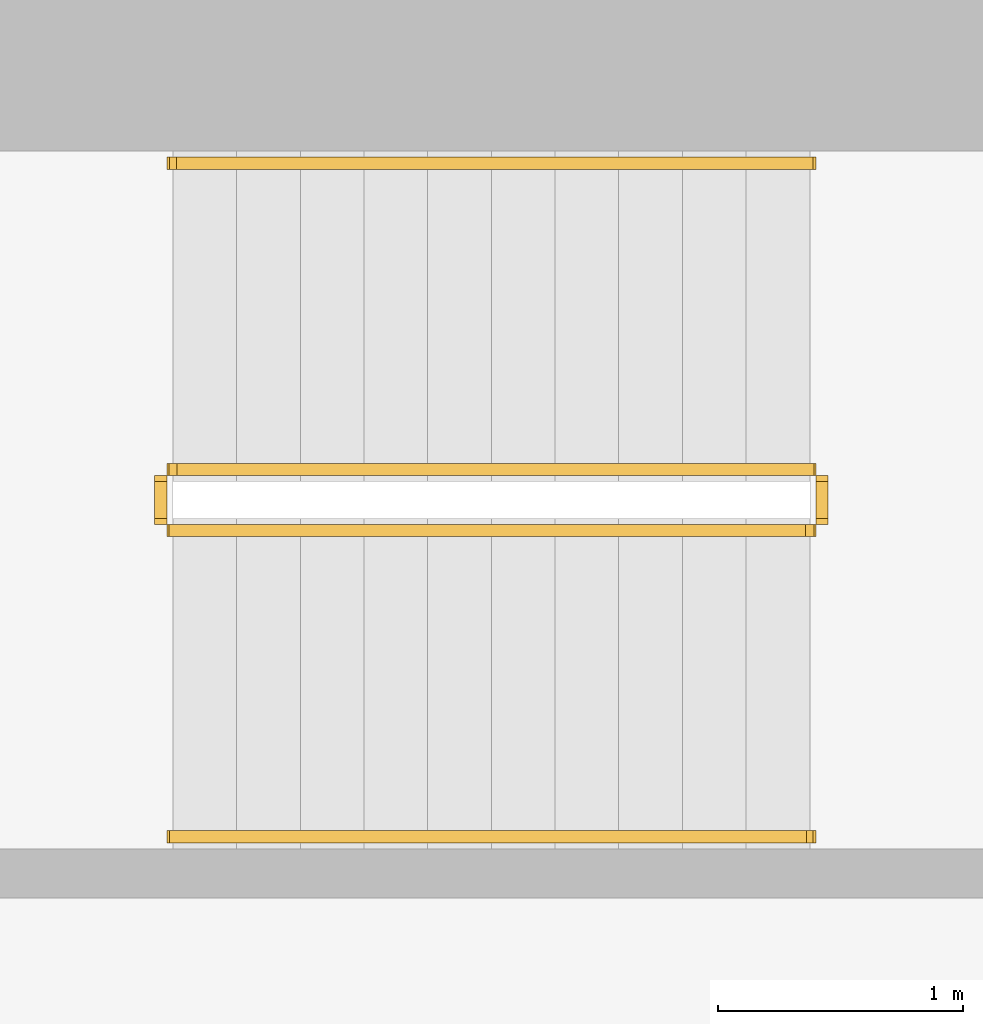
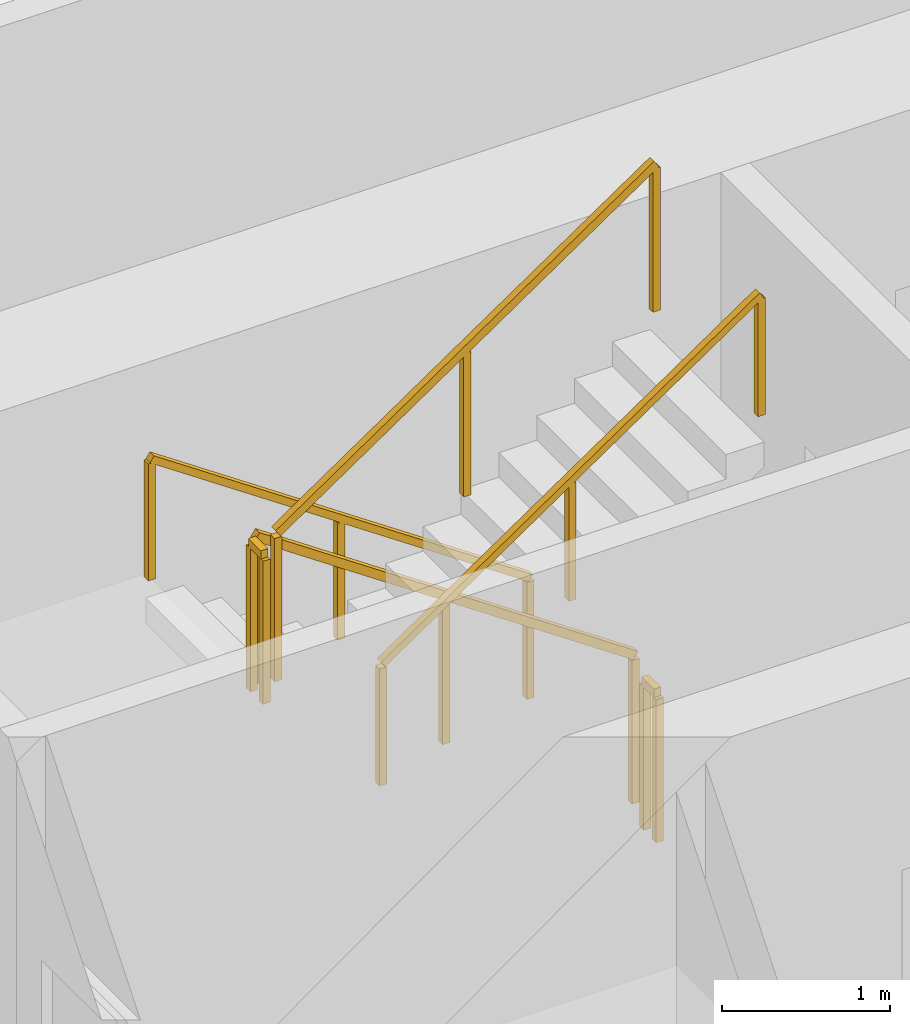
# One storey, part 13 of 14: 6 railings.
"""IFC4 building model written with IfcOpenShell, lengths in metres."""

from ifc_helpers import new_model, si_unit, direction, frame, origin, origin_2d, place, context, subcontext, project, spatial, rectangle, extrude, material, type_object, element, save


model = new_model("IFC4")

# Units and contexts
model_context = context("Model", 3, precision=1e-05, world=origin(), true_north=direction((0.0, 1.0)))
body_context = subcontext(model_context, "Body", "Model", "MODEL_VIEW")
ifc_project = project(units=[si_unit("LENGTHUNIT", "METRE"), si_unit("AREAUNIT", "SQUARE_METRE"), si_unit("VOLUMEUNIT", "CUBIC_METRE"), si_unit("PLANEANGLEUNIT", "RADIAN"), si_unit("MASSUNIT", "GRAM", prefix="KILO")], contexts=[model_context])

# Site, building, storey
site_placement = place(None, origin())
site = spatial("IfcSite", under=ifc_project, at=site_placement, CompositionType="ELEMENT")
building_placement = place(site_placement, origin())
building = spatial("IfcBuilding", under=site, at=building_placement, Name="Khepri Terraces", CompositionType="ELEMENT")
storey_placement = place(building_placement, frame((0.0, 0.0, 87.0)))
storey = spatial("IfcBuildingStorey", under=building, at=storey_placement, Name="L20", CompositionType="ELEMENT", Elevation=87.0)

# Railings
ifc_material = material(Name="Stainless steel 316", Category="steel")
railing_type_1 = type_object("IfcRailingType", Name="RL-CORE-GUARD", PredefinedType="GUARDRAIL", material=ifc_material)
railing_1_placement = place(storey_placement, frame((-0.25, 8.800048828125, 0.17724609375)))
element("IfcRailing", 1, at=railing_1_placement, inside=storey, type_object=railing_type_1, Name="L20 ST-3 stair guard 1", PredefinedType="GUARDRAIL", context=body_context, shape_type="SweptSolid", body=[
    extrude(rectangle(XDim=0.050048828125, YDim=0.06005859375, at=origin_2d()), frame((0.0, 0.0, 1.070068359375), z_axis=(-0.826240473404, 0.0, 0.563317565952), x_axis=(0.0, -1.0, 0.0)), (0.0, 0.0, 1.0), 3.14697265625),
    extrude(rectangle(XDim=0.050048828125, YDim=0.050048828125, at=origin_2d()), origin(), (0.0, 0.0, 1.0), 1.0400390625),
    extrude(rectangle(XDim=0.050048828125, YDim=0.050048828125, at=origin_2d()), frame((-1.300048828125, 0.0, 0.88623046875)), (0.0, 0.0, 1.0), 1.0400390625),
    extrude(rectangle(XDim=0.050048828125, YDim=0.050048828125, at=origin_2d()), frame((-2.60009765625, 0.0, 1.772705078125)), (0.0, 0.0, 1.0), 1.0400390625),
])
railing_2_placement = place(storey_placement, frame((-2.89990234375, 8.75, 1.949951171875)))
element("IfcRailing", 2, at=railing_2_placement, inside=storey, type_object=railing_type_1, Name="L20 ST-3 stair guard 2", PredefinedType="GUARDRAIL", context=body_context, shape_type="SweptSolid", body=[
    extrude(rectangle(XDim=0.050048828125, YDim=0.06005859375, at=origin_2d()), frame((0.0, 0.0, 1.070068359375), z_axis=(0.0, -1.0, 0.0), x_axis=(1.0, 0.0, 0.0)), (0.0, 0.0, 1.0), 0.14990234375),
    extrude(rectangle(XDim=0.050048828125, YDim=0.050048828125, at=origin_2d()), origin(), (0.0, 0.0, 1.0), 1.0400390625),
    extrude(rectangle(XDim=0.050048828125, YDim=0.050048828125, at=origin_2d()), frame((0.0, -0.14990234375, 0.0)), (0.0, 0.0, 1.0), 1.0400390625),
])
railing_3_placement = place(storey_placement, frame((-2.85009765625, 8.550048828125, 2.127197265625)))
element("IfcRailing", 3, at=railing_3_placement, inside=storey, type_object=railing_type_1, Name="L20 ST-3 stair guard 3", PredefinedType="GUARDRAIL", context=body_context, shape_type="SweptSolid", body=[
    extrude(rectangle(XDim=0.050048828125, YDim=0.06005859375, at=origin_2d()), frame((0.0, 0.0, 1.070068359375), z_axis=(0.826240473404, 0.0, 0.563317565952), x_axis=(0.0, 1.0, 0.0)), (0.0, 0.0, 1.0), 3.14697265625),
    extrude(rectangle(XDim=0.050048828125, YDim=0.050048828125, at=origin_2d()), origin(), (0.0, 0.0, 1.0), 1.0400390625),
    extrude(rectangle(XDim=0.050048828125, YDim=0.050048828125, at=origin_2d()), frame((1.300048828125, 0.0, 0.88623046875)), (0.0, 0.0, 1.0), 1.0400390625),
    extrude(rectangle(XDim=0.050048828125, YDim=0.050048828125, at=origin_2d()), frame((2.60009765625, 0.0, 1.772705078125)), (0.0, 0.0, 1.0), 1.0400390625),
])
railing_4_placement = place(storey_placement, frame((-0.199951171875, 8.75, 0.0)))
element("IfcRailing", 4, at=railing_4_placement, inside=storey, type_object=railing_type_1, Name="L20 ST-3 stair guard 4", PredefinedType="GUARDRAIL", context=body_context, shape_type="SweptSolid", body=[
    extrude(rectangle(XDim=0.050048828125, YDim=0.06005859375, at=origin_2d()), frame((0.0, 0.0, 1.070068359375), z_axis=(0.0, -1.0, 0.0), x_axis=(1.0, 0.0, 0.0)), (0.0, 0.0, 1.0), 0.14990234375),
    extrude(rectangle(XDim=0.050048828125, YDim=0.050048828125, at=origin_2d()), origin(), (0.0, 0.0, 1.0), 1.0400390625),
    extrude(rectangle(XDim=0.050048828125, YDim=0.050048828125, at=origin_2d()), frame((0.0, -0.14990234375, 0.0)), (0.0, 0.0, 1.0), 1.0400390625),
])
railing_type_2 = type_object("IfcRailingType", Name="RL-CORE-HANDRAIL", PredefinedType="HANDRAIL", material=ifc_material)
railing_5_placement = place(storey_placement, frame((-0.25, 10.050048828125, 0.17724609375)))
element("IfcRailing", 5, at=railing_5_placement, inside=storey, type_object=railing_type_2, Name="L20 ST-3 stair handrail 1", PredefinedType="HANDRAIL", context=body_context, shape_type="SweptSolid", body=[
    extrude(rectangle(XDim=0.050048828125, YDim=0.050048828125, at=origin_2d()), frame((0.0, 0.0, 0.875), z_axis=(-0.826240473404, 0.0, 0.563317565952), x_axis=(0.0, -1.0, 0.0)), (0.0, 0.0, 1.0), 3.14697265625),
    extrude(rectangle(XDim=0.050048828125, YDim=0.050048828125, at=origin_2d()), origin(), (0.0, 0.0, 1.0), 0.849853515625),
    extrude(rectangle(XDim=0.050048828125, YDim=0.050048828125, at=origin_2d()), frame((-1.300048828125, 0.0, 0.88623046875)), (0.0, 0.0, 1.0), 0.849853515625),
    extrude(rectangle(XDim=0.050048828125, YDim=0.050048828125, at=origin_2d()), frame((-2.60009765625, 0.0, 1.772705078125)), (0.0, 0.0, 1.0), 0.849853515625),
])
railing_6_placement = place(storey_placement, frame((-2.85009765625, 7.300048828125, 2.127197265625)))
element("IfcRailing", 6, at=railing_6_placement, inside=storey, type_object=railing_type_2, Name="L20 ST-3 stair handrail 2", PredefinedType="HANDRAIL", context=body_context, shape_type="SweptSolid", body=[
    extrude(rectangle(XDim=0.050048828125, YDim=0.050048828125, at=origin_2d()), frame((0.0, 0.0, 0.875), z_axis=(0.826240473404, 0.0, 0.563317565952), x_axis=(0.0, 1.0, 0.0)), (0.0, 0.0, 1.0), 3.14697265625),
    extrude(rectangle(XDim=0.050048828125, YDim=0.050048828125, at=origin_2d()), origin(), (0.0, 0.0, 1.0), 0.849853515625),
    extrude(rectangle(XDim=0.050048828125, YDim=0.050048828125, at=origin_2d()), frame((1.300048828125, 0.0, 0.88623046875)), (0.0, 0.0, 1.0), 0.849853515625),
    extrude(rectangle(XDim=0.050048828125, YDim=0.050048828125, at=origin_2d()), frame((2.60009765625, 0.0, 1.772705078125)), (0.0, 0.0, 1.0), 0.849853515625),
])

save(model, "model.ifc")
